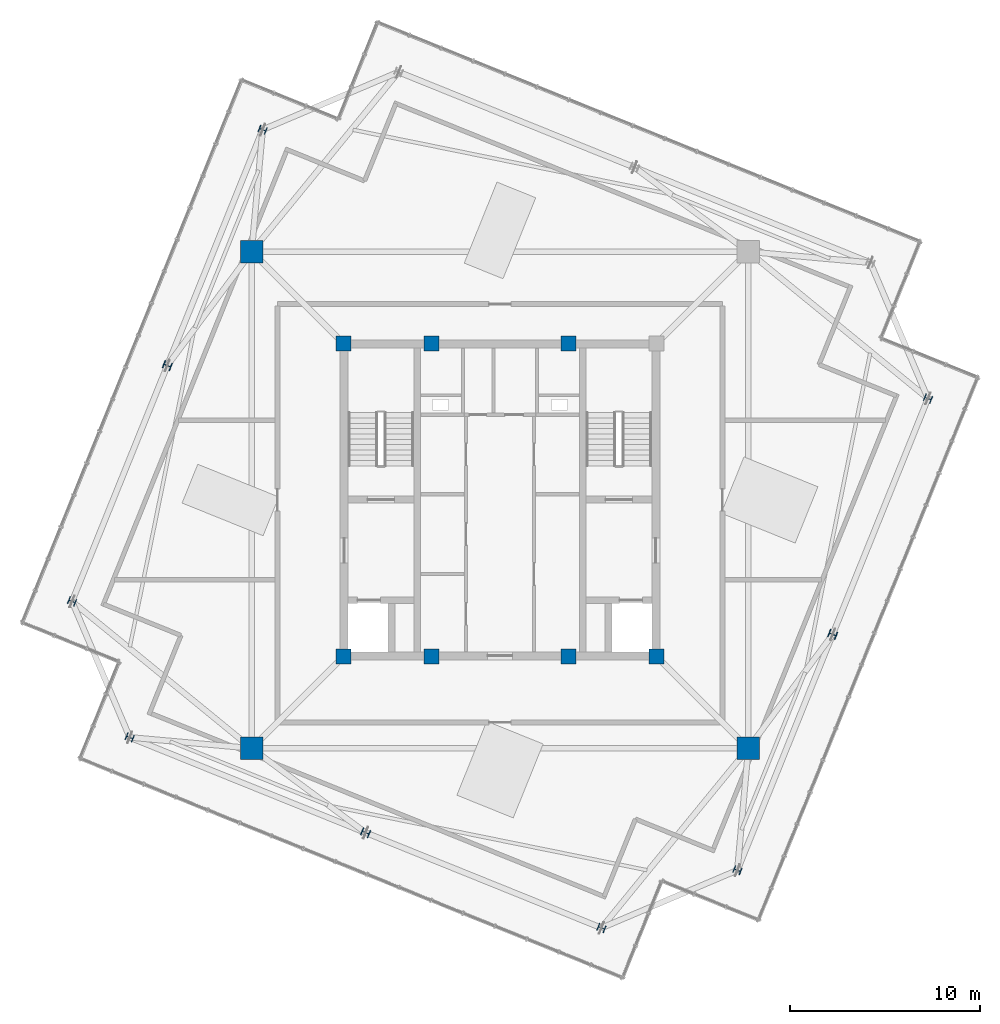
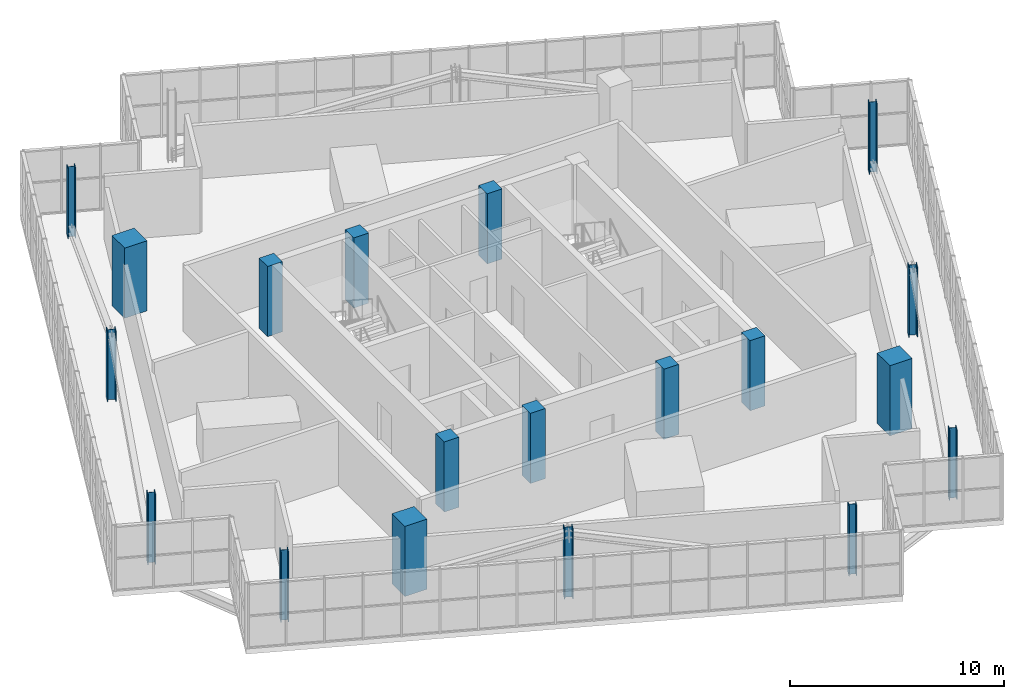
# One storey, part 1 of 26: 19 columns.
"""IFC4 building model written with IfcOpenShell, lengths in metres."""

from ifc_helpers import new_model, si_unit, direction, frame, origin, origin_2d, place, context, subcontext, project, spatial, rectangle, i_section, extrude, source, transform, mapped, material, material_profile, profile_set, type_object, element, save


model = new_model("IFC4")

# Units and contexts
model_context = context("Model", 3, precision=1e-05, world=origin(), true_north=direction((0.0, 1.0)))
body_context = subcontext(model_context, "Body", "Model", "MODEL_VIEW")
ifc_project = project(units=[si_unit("LENGTHUNIT", "METRE"), si_unit("AREAUNIT", "SQUARE_METRE"), si_unit("VOLUMEUNIT", "CUBIC_METRE"), si_unit("PLANEANGLEUNIT", "RADIAN"), si_unit("MASSUNIT", "GRAM", prefix="KILO"), si_unit("THERMODYNAMICTEMPERATUREUNIT", "KELVIN")], contexts=[model_context])

# Site, building, storey
site_placement = place(None, origin())
site = spatial("IfcSite", under=ifc_project, at=site_placement, CompositionType="ELEMENT")
building_placement = place(site_placement, origin())
building = spatial("IfcBuilding", under=site, at=building_placement, Name="Kosmvard Interchange Tower", CompositionType="ELEMENT")
storey_placement = place(building_placement, frame((0.0, 0.0, 337.60009765625)))
storey = spatial("IfcBuildingStorey", under=building, at=storey_placement, Name="L83", CompositionType="ELEMENT", Elevation=337.60009765625)

# Columns
ifc_material_1 = material(Name="Concrete C50/60", Category="concrete")
ifc_material_profile_1 = material_profile(ifc_material_1, rectangle(XDim=0.800048828125, YDim=0.800048828125, at=origin_2d()), Name="CP 800x800")
ifc_profile_set_1 = profile_set([ifc_material_profile_1], Name="Concrete C50/60")
column_type_1 = type_object("IfcColumnType", Name="Core Boundary Pilaster 800x800 C50/60", PredefinedType="PILASTER", material=ifc_profile_set_1)
shared_shape_1 = source(origin(), body_context, "Body", "SweptSolid", [
    extrude(rectangle(XDim=0.800048828125, YDim=0.800048828125, at=origin_2d()), origin(), (0.0, 0.0, 1.0), 4.0),
])
for number, where, z_axis, x_axis, name in (
    (1, (-8.25, -8.25, 0.0), (0.0, 0.0, 1.0), (1.0, 0.0, 0.0), "L83 Core Pilaster CP1"),
    (2, (8.25, -8.25, 0.0), (0.0, 0.0, 1.0), (1.0, 0.0, 0.0), "L83 Core Pilaster CP2"),
    (3, (-8.25, 8.25, 0.0), (0.0, 0.0, 1.0), (1.0, 0.0, 0.0), "L83 Core Pilaster CP4"),
    (4, (-3.60009765625, -8.25, 0.0), (0.0, 0.0, 1.0), (1.0, 0.0, 0.0), "L83 Core Pilaster CP5"),
    (5, (3.60009765625, -8.25, 0.0), (0.0, 0.0, 1.0), (1.0, 0.0, 0.0), "L83 Core Pilaster CP6"),
    (6, (-3.60009765625, 8.25, 0.0), (0.0, 0.0, 1.0), (1.0, 0.0, 0.0), "L83 Core Pilaster CP7"),
    (7, (3.60009765625, 8.25, 0.0), (0.0, 0.0, 1.0), (1.0, 0.0, 0.0), "L83 Core Pilaster CP8"),
):
    element("IfcColumn", number, at=place(storey_placement, frame(where, z_axis=z_axis, x_axis=x_axis)), inside=storey, type_object=column_type_1, Name=name, PredefinedType="PILASTER", context=body_context, shape_type="MappedRepresentation", body=[
        mapped(shared_shape_1, transform((0.0, 0.0, 0.0), scale=1.0)),
    ])
ifc_material_profile_2 = material_profile(ifc_material_1, rectangle(XDim=1.199951171875, YDim=1.199951171875, at=origin_2d()), Name="MC 1200x1200")
ifc_profile_set_2 = profile_set([ifc_material_profile_2], Name="Concrete C50/60")
column_type_2 = type_object("IfcColumnType", Name="Composite Mega-Column 1200x1200 C50/60", PredefinedType="COLUMN", material=ifc_profile_set_2)
shared_shape_2 = source(origin(), body_context, "Body", "SweptSolid", [
    extrude(rectangle(XDim=1.199951171875, YDim=1.199951171875, at=origin_2d()), origin(), (0.0, 0.0, 1.0), 4.0),
])
for number, where, z_axis, x_axis, name in (
    (8, (-13.0810546875, -13.0810546875, 0.0), (0.0, 0.0, 1.0), (1.0, 0.0, 0.0), "L83 Corner Mega-Column MC1"),
    (9, (13.0810546875, -13.0810546875, 0.0), (0.0, 0.0, 1.0), (1.0, 0.0, 0.0), "L83 Corner Mega-Column MC2"),
    (10, (-13.0810546875, 13.0810546875, 0.0), (0.0, 0.0, 1.0), (1.0, 0.0, 0.0), "L83 Corner Mega-Column MC4"),
):
    element("IfcColumn", number, at=place(storey_placement, frame(where, z_axis=z_axis, x_axis=x_axis)), inside=storey, type_object=column_type_2, Name=name, PredefinedType="COLUMN", context=body_context, shape_type="MappedRepresentation", body=[
        mapped(shared_shape_2, transform((0.0, 0.0, 0.0), scale=1.0)),
    ])
ifc_material_2 = material(Name="Steel S355", Category="steel")
ifc_material_profile_3 = material_profile(ifc_material_2, i_section(OverallWidth=0.3759765625, OverallDepth=0.386962890625, WebThickness=0.01953125, FlangeThickness=0.031982421875, FilletRadius=0.014892578125, at=origin_2d()), Name="HD 360x329")
ifc_profile_set_3 = profile_set([ifc_material_profile_3], Name="Steel S355")
column_type_3 = type_object("IfcColumnType", Name="Crown Lantern Corner Post HD 360x329 S355", PredefinedType="COLUMN", material=ifc_profile_set_3)
shared_shape_3 = source(origin(), body_context, "Body", "SweptSolid", [
    extrude(i_section(OverallWidth=0.3759765625, OverallDepth=0.386962890625, WebThickness=0.01953125, FlangeThickness=0.031982421875, FilletRadius=0.014892578125, at=origin_2d()), origin(), (0.0, 0.0, 1.0), 4.0),
])
for number, where, z_axis, x_axis, name in (
    (11, (12.504150390625, -19.50439453125, 0.0), (0.0, 0.0, 1.0), (0.374606593416, 0.927183854567, 0.0), "L83 Crown Frame Leg LL-S1"),
    (12, (22.54345703125, 5.34423828125, 0.0), (0.0, 0.0, 1.0), (0.374606593416, 0.927183854567, 0.0), "L83 Crown Frame Leg LL-S3"),
    (13, (-12.504150390625, 19.50439453125, 0.0), (0.0, 0.0, 1.0), (0.374606593416, 0.927183854567, 0.0), "L83 Crown Frame Leg LL-N1"),
    (14, (-22.54345703125, -5.34423828125, 0.0), (0.0, 0.0, 1.0), (0.374606593416, 0.927183854567, 0.0), "L83 Crown Frame Leg LL-N3"),
    (15, (-19.50439453125, -12.504150390625, 0.0), (0.0, 0.0, 1.0), (0.374606593416, 0.927183854567, 0.0), "L83 Crown Frame Leg LL-W1"),
    (16, (5.34423828125, -22.54345703125, 0.0), (0.0, 0.0, 1.0), (0.374606593416, 0.927183854567, 0.0), "L83 Crown Frame Leg LL-W3"),
):
    element("IfcColumn", number, at=place(storey_placement, frame(where, z_axis=z_axis, x_axis=x_axis)), inside=storey, type_object=column_type_3, Name=name, PredefinedType="COLUMN", context=body_context, shape_type="MappedRepresentation", body=[
        mapped(shared_shape_3, transform((0.0, 0.0, 0.0), scale=1.0)),
    ])
ifc_material_profile_4 = material_profile(ifc_material_2, i_section(OverallWidth=0.408935546875, OverallDepth=0.425048828125, WebThickness=0.02392578125, FlangeThickness=0.0390625, FilletRadius=0.014892578125, at=origin_2d()), Name="HD 400x421")
ifc_profile_set_4 = profile_set([ifc_material_profile_4], Name="Steel S355")
column_type_4 = type_object("IfcColumnType", Name="Crown Lantern Frame Leg HD 400x421 S355", PredefinedType="COLUMN", material=ifc_profile_set_4)
shared_shape_4 = source(origin(), body_context, "Body", "SweptSolid", [
    extrude(i_section(OverallWidth=0.408935546875, OverallDepth=0.425048828125, WebThickness=0.02392578125, FlangeThickness=0.0390625, FilletRadius=0.014892578125, at=origin_2d()), origin(), (0.0, 0.0, 1.0), 4.0),
])
for number, where, z_axis, x_axis, name in (
    (17, (17.523681640625, -7.080078125, 0.0), (0.0, 0.0, 1.0), (0.374606593416, 0.927183854567, 0.0), "L83 Crown Frame Leg LL-S2"),
    (18, (-17.523681640625, 7.080078125, 0.0), (0.0, 0.0, 1.0), (0.374606593416, 0.927183854567, 0.0), "L83 Crown Frame Leg LL-N2"),
    (19, (-7.080078125, -17.523681640625, 0.0), (0.0, 0.0, 1.0), (0.374606593416, 0.927183854567, 0.0), "L83 Crown Frame Leg LL-W2"),
):
    element("IfcColumn", number, at=place(storey_placement, frame(where, z_axis=z_axis, x_axis=x_axis)), inside=storey, type_object=column_type_4, Name=name, PredefinedType="COLUMN", context=body_context, shape_type="MappedRepresentation", body=[
        mapped(shared_shape_4, transform((0.0, 0.0, 0.0), scale=1.0)),
    ])

save(model, "model.ifc")
